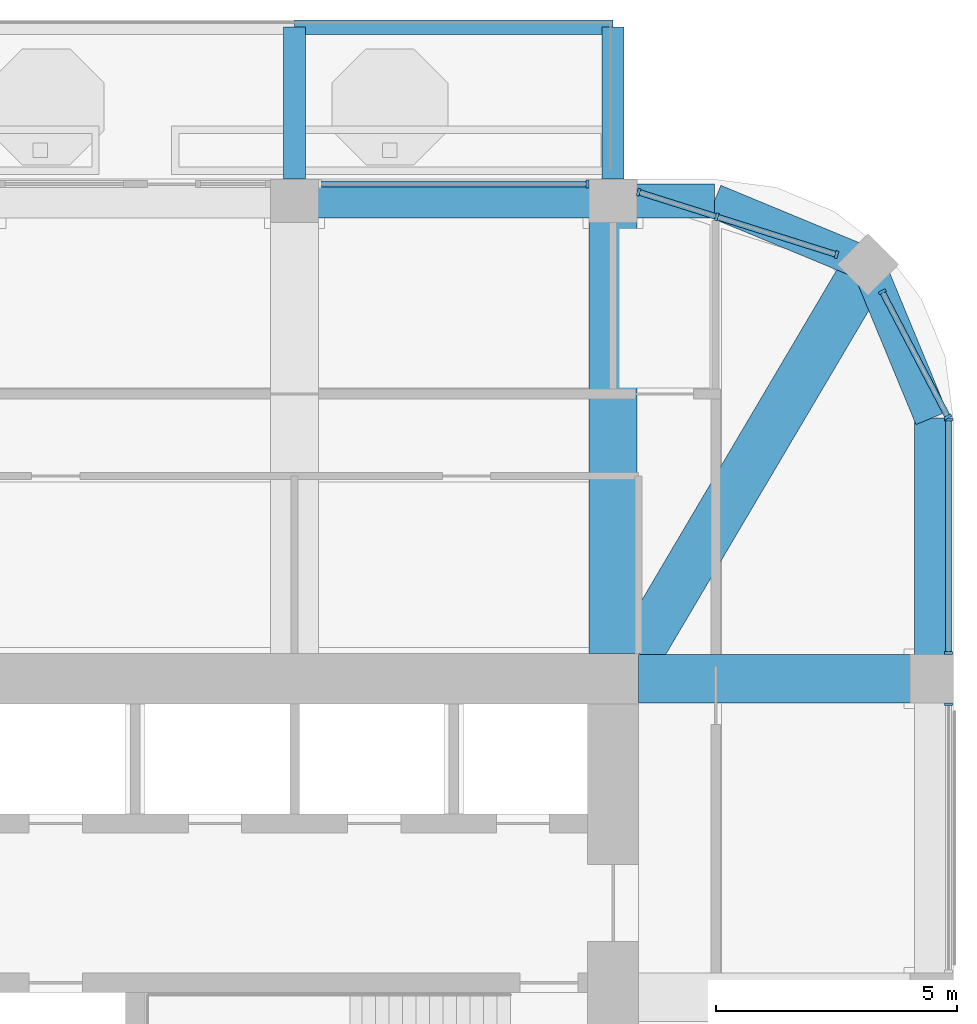
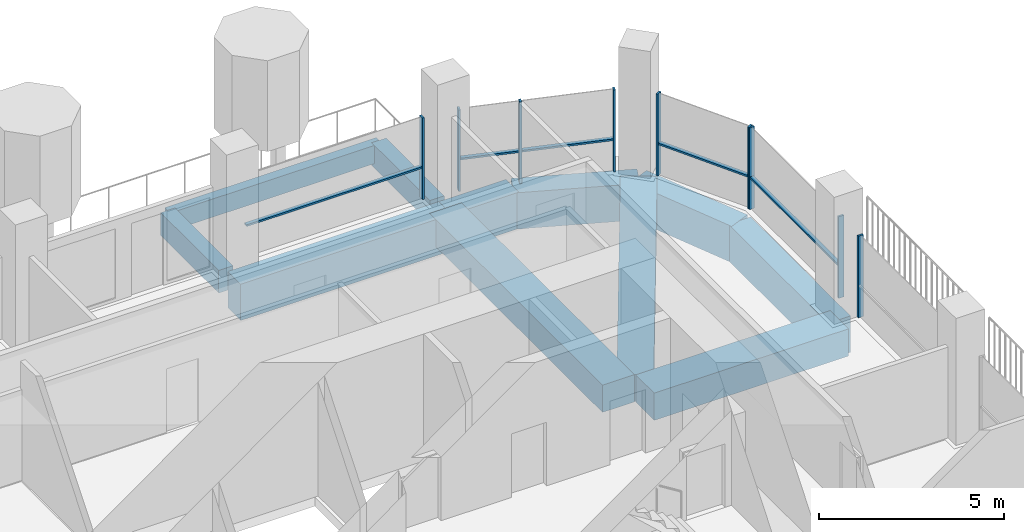
# One storey, part 7 of 21: 14 members, 11 beams, 5 elements without a shape of their own.
"""IFC4 building model written with IfcOpenShell, lengths in metres."""

from ifc_helpers import new_model, si_unit, direction, frame, origin, origin_2d, place, context, subcontext, project, spatial, rectangle, extrude, material, material_profile, profile_set, type_object, element, aggregate, save


model = new_model("IFC4")

# Units and contexts
model_context = context("Model", 3, precision=1e-05, world=origin(), true_north=direction((0.0, 1.0)))
body_context = subcontext(model_context, "Body", "Model", "MODEL_VIEW")
ifc_project = project(units=[si_unit("LENGTHUNIT", "METRE"), si_unit("AREAUNIT", "SQUARE_METRE"), si_unit("VOLUMEUNIT", "CUBIC_METRE"), si_unit("PLANEANGLEUNIT", "RADIAN"), si_unit("MASSUNIT", "GRAM", prefix="KILO")], contexts=[model_context])

# Site, building, storey
site_placement = place(None, origin())
site = spatial("IfcSite", under=ifc_project, at=site_placement, CompositionType="ELEMENT")
building_placement = place(site_placement, origin())
building = spatial("IfcBuilding", under=site, at=building_placement, Name="Cobogo Forest Laboratory Tower", CompositionType="ELEMENT")
storey_placement = place(building_placement, frame((0.0, 0.0, 258.60009765625)))
storey = spatial("IfcBuildingStorey", under=building, at=storey_placement, Name="L59", CompositionType="ELEMENT", Elevation=258.60009765625)

# Beams
ifc_material_1 = material(Name="Concrete HA-40 (C40/50)", Category="concrete")
ifc_material_profile_1 = material_profile(ifc_material_1, rectangle(XDim=0.449951171875, YDim=0.75, at=origin_2d()), Name="RC 450x750")
ifc_profile_set_1 = profile_set([ifc_material_profile_1], Name="Concrete HA-40 (C40/50)")
beam_type_1 = type_object("IfcBeamType", Name="Balcony cantilever beam 450x750", PredefinedType="BEAM", material=ifc_profile_set_1)
for number, where, z_axis, x_axis, name in (
    (1, (33.0, 43.35009765625, -0.625), (0.0, 1.0, 0.0), (-1.0, 0.0, 0.0), "CB1 BAL-N1-C2 L59"),
    (2, (39.60009765625, 43.35009765625, -0.625), (0.0, 1.0, 0.0), (-1.0, 0.0, 0.0), "CB1 BAL-N1-C3 L59"),
):
    element("IfcBeam", number, at=place(storey_placement, frame(where, z_axis=z_axis, x_axis=x_axis)), inside=storey, type_object=beam_type_1, Name=name, PredefinedType="BEAM", context=body_context, shape_type="SweptSolid", body=[
        extrude(rectangle(XDim=0.449951171875, YDim=0.75, at=origin_2d()), origin(), (0.0, 0.0, 1.0), 3.14990234375),
    ])
ifc_material_profile_2 = material_profile(ifc_material_1, rectangle(XDim=0.300048828125, YDim=0.60009765625, at=origin_2d()), Name="RC 300x600")
ifc_profile_set_2 = profile_set([ifc_material_profile_2], Name="Concrete HA-40 (C40/50)")
beam_type_2 = type_object("IfcBeamType", Name="Balcony edge beam 300x600", PredefinedType="BEAM", material=ifc_profile_set_2)
beam_1_placement = place(storey_placement, frame((33.0, 46.5, -0.550048828125), z_axis=(1.0, 0.0, 0.0), x_axis=(0.0, 1.0, 0.0)))
element("IfcBeam", 3, at=beam_1_placement, inside=storey, type_object=beam_type_2, Name="BB1 BAL-N1-T2 L59", PredefinedType="BEAM", context=body_context, shape_type="SweptSolid", body=[
    extrude(rectangle(XDim=0.300048828125, YDim=0.60009765625, at=origin_2d()), origin(), (0.0, 0.0, 1.0), 6.60009765625),
])

# Curtain wall, member
ifc_material_2 = material(Name="Aluminium curtain wall", Category="aluminium")
curtain_wall_type = type_object("IfcCurtainWallType", Name="CW-2 unitised curtain wall, solar control glazing, laboratory floors zones C and D", PredefinedType="USERDEFINED", material=ifc_material_2)
curtain_wall_1_placement = place(storey_placement, origin())
curtain_wall_1 = element("IfcCurtainWall", 4, at=curtain_wall_1_placement, inside=storey, type_object=curtain_wall_type, Name="Curtain wall 10 L59", ObjectType="UNITISED CURTAIN WALL", PredefinedType="USERDEFINED")
ifc_material_3 = material(Name="Aluminium mullion", Category="aluminium")
ifc_material_profile_3 = material_profile(ifc_material_3, rectangle(XDim=0.06005859375, YDim=0.159912109375, at=origin_2d()), Name="AL 60x160")
ifc_profile_set_3 = profile_set([ifc_material_profile_3], Name="Aluminium mullion")
member_type_1 = type_object("IfcMemberType", Name="MU-1 aluminium mullion 60x160", PredefinedType="MULLION", material=ifc_profile_set_3)
member_1_placement = place(storey_placement, frame((46.550048828125, 32.469970703125, 0.0), z_axis=(0.0, 0.0, 1.0), x_axis=(0.0, 1.0, 0.0)))
member_1 = element("IfcMember", 5, at=member_1_placement, type_object=member_type_1, Name="CW-2 mullion 2", PredefinedType="MULLION", context=body_context, shape_type="SweptSolid", body=[
    extrude(rectangle(XDim=0.06005859375, YDim=0.159912109375, at=origin_2d()), origin(), (0.0, 0.0, 1.0), 2.699951171875),
])
aggregate(curtain_wall_1, [member_1])

# Curtain wall, members
curtain_wall_2_placement = place(storey_placement, origin())
curtain_wall_2 = element("IfcCurtainWall", 6, at=curtain_wall_2_placement, inside=storey, type_object=curtain_wall_type, Name="Curtain wall 11 L59", ObjectType="UNITISED CURTAIN WALL", PredefinedType="USERDEFINED")
member_2_placement = place(storey_placement, frame((46.550048828125, 33.530029296875, 0.0), z_axis=(0.0, 0.0, 1.0), x_axis=(0.0, 1.0, 0.0)))
member_2 = element("IfcMember", 7, at=member_2_placement, type_object=member_type_1, Name="CW-2 mullion 1", PredefinedType="MULLION", context=body_context, shape_type="SweptSolid", body=[
    extrude(rectangle(XDim=0.06005859375, YDim=0.159912109375, at=origin_2d()), origin(), (0.0, 0.0, 1.0), 2.699951171875),
])
member_3_placement = place(storey_placement, frame((46.550048828125, 38.3701171875, 0.0), z_axis=(0.0, 0.0, 1.0), x_axis=(0.0, 1.0, 0.0)))
member_3 = element("IfcMember", 8, at=member_3_placement, type_object=member_type_1, Name="CW-2 mullion 2", PredefinedType="MULLION", context=body_context, shape_type="SweptSolid", body=[
    extrude(rectangle(XDim=0.06005859375, YDim=0.159912109375, at=origin_2d()), origin(), (0.0, 0.0, 1.0), 2.699951171875),
])

curtain_wall_3_placement = place(storey_placement, origin())
curtain_wall_3 = element("IfcCurtainWall", 9, at=curtain_wall_3_placement, inside=storey, type_object=curtain_wall_type, Name="Curtain wall 12 L59", ObjectType="UNITISED CURTAIN WALL", PredefinedType="USERDEFINED")
member_4_placement = place(storey_placement, frame((46.5361328125, 38.426513671875, 0.0), z_axis=(0.0, 0.0, 1.0), x_axis=(-0.464283778337, 0.885686498245, 0.0)))
member_4 = element("IfcMember", 10, at=member_4_placement, type_object=member_type_1, Name="CW-2 mullion 1", PredefinedType="MULLION", context=body_context, shape_type="SweptSolid", body=[
    extrude(rectangle(XDim=0.06005859375, YDim=0.159912109375, at=origin_2d()), origin(), (0.0, 0.0, 1.0), 2.699951171875),
])
member_5_placement = place(storey_placement, frame((45.177978515625, 41.017333984375, 0.0), z_axis=(0.0, 0.0, 1.0), x_axis=(-0.464283778337, 0.885686498245, 0.0)))
member_5 = element("IfcMember", 11, at=member_5_placement, type_object=member_type_1, Name="CW-2 mullion 2", PredefinedType="MULLION", context=body_context, shape_type="SweptSolid", body=[
    extrude(rectangle(XDim=0.06005859375, YDim=0.159912109375, at=origin_2d()), origin(), (0.0, 0.0, 1.0), 2.699951171875),
])

curtain_wall_4_placement = place(storey_placement, origin())
curtain_wall_4 = element("IfcCurtainWall", 12, at=curtain_wall_4_placement, inside=storey, type_object=curtain_wall_type, Name="Curtain wall 13 L59", ObjectType="UNITISED CURTAIN WALL", PredefinedType="USERDEFINED")
member_6_placement = place(storey_placement, frame((44.22998046875, 41.787841796875, 0.0), z_axis=(0.0, 0.0, 1.0), x_axis=(-0.953581379409, 0.301135439371, 0.0)))
member_6 = element("IfcMember", 13, at=member_6_placement, type_object=member_type_1, Name="CW-2 mullion 1", PredefinedType="MULLION", context=body_context, shape_type="SweptSolid", body=[
    extrude(rectangle(XDim=0.06005859375, YDim=0.159912109375, at=origin_2d()), origin(), (0.0, 0.0, 1.0), 2.699951171875),
])
member_7_placement = place(storey_placement, frame((41.7490234375, 42.5712890625, 0.0), z_axis=(0.0, 0.0, 1.0), x_axis=(-0.953581379409, 0.301135439371, 0.0)))
member_7 = element("IfcMember", 14, at=member_7_placement, type_object=member_type_1, Name="CW-2 mullion 2", PredefinedType="MULLION", context=body_context, shape_type="SweptSolid", body=[
    extrude(rectangle(XDim=0.06005859375, YDim=0.159912109375, at=origin_2d()), origin(), (0.0, 0.0, 1.0), 2.699951171875),
])
member_8_placement = place(storey_placement, frame((40.128662109375, 43.0830078125, 0.0), z_axis=(0.0, 0.0, 1.0), x_axis=(-0.953581379409, 0.301135439371, 0.0)))
member_8 = element("IfcMember", 15, at=member_8_placement, type_object=member_type_1, Name="CW-2 mullion 3", PredefinedType="MULLION", context=body_context, shape_type="SweptSolid", body=[
    extrude(rectangle(XDim=0.06005859375, YDim=0.159912109375, at=origin_2d()), origin(), (0.0, 0.0, 1.0), 2.699951171875),
])

# Curtain wall, member
curtain_wall_5_placement = place(storey_placement, origin())
curtain_wall_5 = element("IfcCurtainWall", 16, at=curtain_wall_5_placement, inside=storey, type_object=curtain_wall_type, Name="Curtain wall 14 L59", ObjectType="UNITISED CURTAIN WALL", PredefinedType="USERDEFINED")
member_9_placement = place(storey_placement, frame((39.070068359375, 43.25, 0.0), z_axis=(0.0, 0.0, 1.0), x_axis=(-1.0, 0.0, 0.0)))
member_9 = element("IfcMember", 17, at=member_9_placement, type_object=member_type_1, Name="CW-2 mullion 1", PredefinedType="MULLION", context=body_context, shape_type="SweptSolid", body=[
    extrude(rectangle(XDim=0.06005859375, YDim=0.159912109375, at=origin_2d()), origin(), (0.0, 0.0, 1.0), 2.699951171875),
])

# Beams
ifc_material_profile_4 = material_profile(ifc_material_1, rectangle(XDim=1.0, YDim=0.89990234375, at=origin_2d()), Name="RC 1000x900")
ifc_profile_set_4 = profile_set([ifc_material_profile_4], Name="Concrete HA-40 (C40/50)")
beam_type_3 = type_object("IfcBeamType", Name="Office floor wide beam 1000x900", PredefinedType="BEAM", material=ifc_profile_set_4)
beam_2_placement = place(storey_placement, frame((39.60009765625, 33.52490234375, -0.75), z_axis=(0.0, 1.0, 0.0), x_axis=(-1.0, 0.0, 0.0)))
element("IfcBeam", 18, at=beam_2_placement, inside=storey, type_object=beam_type_3, Name="RB2 R-7-N L59", PredefinedType="BEAM", context=body_context, shape_type="SweptSolid", body=[
    extrude(rectangle(XDim=1.0, YDim=0.89990234375, at=origin_2d()), origin(), (0.0, 0.0, 1.0), 9.375),
])
beam_3_placement = place(storey_placement, frame((40.125, 33.0, -0.75), z_axis=(1.0, 0.0, 0.0), x_axis=(0.0, 1.0, 0.0)))
element("IfcBeam", 19, at=beam_3_placement, inside=storey, type_object=beam_type_3, Name="RB2 R-F-E L59", PredefinedType="BEAM", context=body_context, shape_type="SweptSolid", body=[
    extrude(rectangle(XDim=1.0, YDim=0.89990234375, at=origin_2d()), origin(), (0.0, 0.0, 1.0), 6.074951171875),
])
beam_4_placement = place(storey_placement, frame((44.882080078125, 41.58203125, -0.75), z_axis=(-0.508416325908, -0.861111397875, 0.0), x_axis=(0.861111397875, -0.508416325908, 0.0)))
element("IfcBeam", 20, at=beam_4_placement, inside=storey, type_object=beam_type_3, Name="RB2 G-NE-D1 L59", PredefinedType="BEAM", context=body_context, shape_type="SweptSolid", body=[
    extrude(rectangle(XDim=1.0, YDim=0.89990234375, at=origin_2d()), origin(), (0.0, 0.0, 1.0), 9.356689453125),
])
ifc_material_profile_5 = material_profile(ifc_material_1, rectangle(XDim=0.699951171875, YDim=1.199951171875, at=origin_2d()), Name="RC 700x1200")
ifc_profile_set_5 = profile_set([ifc_material_profile_5], Name="Concrete HA-40 (C40/50)")
beam_type_4 = type_object("IfcBeamType", Name="Perimeter edge beam 700x1200", PredefinedType="BEAM", material=ifc_profile_set_5)
beam_5_placement = place(storey_placement, frame((33.0, 42.89990234375, -0.900146484375), z_axis=(1.0, 0.0, 0.0), x_axis=(0.0, 1.0, 0.0)))
element("IfcBeam", 21, at=beam_5_placement, inside=storey, type_object=beam_type_4, Name="EB1 E-N4 L59", PredefinedType="BEAM", context=body_context, shape_type="SweptSolid", body=[
    extrude(rectangle(XDim=0.699951171875, YDim=1.199951171875, at=origin_2d()), origin(), (0.0, 0.0, 1.0), 6.60009765625),
])
beam_6_placement = place(storey_placement, frame((46.199951171875, 33.0, -0.900146484375), z_axis=(0.0, 1.0, 0.0), x_axis=(-1.0, 0.0, 0.0)))
element("IfcBeam", 22, at=beam_6_placement, inside=storey, type_object=beam_type_4, Name="EB1 E-NEE1 L59", PredefinedType="BEAM", context=body_context, shape_type="SweptSolid", body=[
    extrude(rectangle(XDim=0.699951171875, YDim=1.199951171875, at=origin_2d()), origin(), (0.0, 0.0, 1.0), 5.39990234375),
])
beam_7_placement = place(storey_placement, frame((46.199951171875, 38.39990234375, -0.900146484375), z_axis=(-0.382631424892, 0.923901072997, 0.0), x_axis=(-0.923901072997, -0.382631424892, 0.0)))
element("IfcBeam", 23, at=beam_7_placement, inside=storey, type_object=beam_type_4, Name="EB1 E-NEE2 L59", PredefinedType="BEAM", context=body_context, shape_type="SweptSolid", body=[
    extrude(rectangle(XDim=0.699951171875, YDim=1.199951171875, at=origin_2d()), origin(), (0.0, 0.0, 1.0), 3.4443359375),
])
beam_8_placement = place(storey_placement, frame((39.60009765625, 42.89990234375, -0.900146484375), z_axis=(1.0, 0.0, 0.0), x_axis=(0.0, 1.0, 0.0)))
element("IfcBeam", 24, at=beam_8_placement, inside=storey, type_object=beam_type_4, Name="EB1 E-NEN1 L59", PredefinedType="BEAM", context=body_context, shape_type="SweptSolid", body=[
    extrude(rectangle(XDim=0.699951171875, YDim=1.199951171875, at=origin_2d()), origin(), (0.0, 0.0, 1.0), 2.099853515625),
])
beam_9_placement = place(storey_placement, frame((41.699951171875, 42.89990234375, -0.900146484375), z_axis=(0.923901072997, -0.382631424892, 0.0), x_axis=(0.382631424892, 0.923901072997, 0.0)))
element("IfcBeam", 25, at=beam_9_placement, inside=storey, type_object=beam_type_4, Name="EB1 E-NEN2 L59", PredefinedType="BEAM", context=body_context, shape_type="SweptSolid", body=[
    extrude(rectangle(XDim=0.699951171875, YDim=1.199951171875, at=origin_2d()), origin(), (0.0, 0.0, 1.0), 3.4443359375),
])

# Member
ifc_material_4 = material(Name="Aluminium transom", Category="aluminium")
ifc_material_profile_6 = material_profile(ifc_material_4, rectangle(XDim=0.1201171875, YDim=0.06005859375, at=origin_2d()), Name="AL 60x120")
ifc_profile_set_6 = profile_set([ifc_material_profile_6], Name="Aluminium transom")
member_type_2 = type_object("IfcMemberType", Name="TR-1 aluminium transom 60x120", PredefinedType="USERDEFINED", material=ifc_profile_set_6)
member_10_placement = place(storey_placement, frame((46.550048828125, 33.56005859375, 1.0498046875), z_axis=(0.0, 1.0, 0.0), x_axis=(-1.0, 0.0, 0.0)))
member_10 = element("IfcMember", 26, at=member_10_placement, type_object=member_type_2, Name="CW-2 transom 1.1", ObjectType="TRANSOM", PredefinedType="USERDEFINED", context=body_context, shape_type="SweptSolid", body=[
    extrude(rectangle(XDim=0.1201171875, YDim=0.06005859375, at=origin_2d()), origin(), (0.0, 0.0, 1.0), 4.780029296875),
])

aggregate(curtain_wall_2, [member_2, member_3, member_10])

member_11_placement = place(storey_placement, frame((46.522216796875, 38.453125, 1.0498046875), z_axis=(-0.46430944806, 0.885673041501, 0.0), x_axis=(-0.885673041501, -0.46430944806, 0.0)))
member_11 = element("IfcMember", 27, at=member_11_placement, type_object=member_type_2, Name="CW-2 transom 1.1", ObjectType="TRANSOM", PredefinedType="USERDEFINED", context=body_context, shape_type="SweptSolid", body=[
    extrude(rectangle(XDim=0.1201171875, YDim=0.06005859375, at=origin_2d()), origin(), (0.0, 0.0, 1.0), 2.865234375),
])

aggregate(curtain_wall_3, [member_4, member_5, member_11])

member_12_placement = place(storey_placement, frame((44.201416015625, 41.796875, 1.0498046875), z_axis=(-0.953587019958, 0.301117577314, 0.0), x_axis=(-0.301117577314, -0.953587019958, 0.0)))
member_12 = element("IfcMember", 28, at=member_12_placement, type_object=member_type_2, Name="CW-2 transom 1.1", ObjectType="TRANSOM", PredefinedType="USERDEFINED", context=body_context, shape_type="SweptSolid", body=[
    extrude(rectangle(XDim=0.1201171875, YDim=0.06005859375, at=origin_2d()), origin(), (0.0, 0.0, 1.0), 2.541748046875),
])

member_13_placement = place(storey_placement, frame((41.720458984375, 42.580322265625, 1.0498046875), z_axis=(-0.953582665134, 0.301131367937, 0.0), x_axis=(-0.301131367937, -0.953582665134, 0.0)))
member_13 = element("IfcMember", 29, at=member_13_placement, type_object=member_type_2, Name="CW-2 transom 2.1", ObjectType="TRANSOM", PredefinedType="USERDEFINED", context=body_context, shape_type="SweptSolid", body=[
    extrude(rectangle(XDim=0.1201171875, YDim=0.06005859375, at=origin_2d()), origin(), (0.0, 0.0, 1.0), 1.639404296875),
])

aggregate(curtain_wall_4, [member_6, member_7, member_8, member_12, member_13])

member_14_placement = place(storey_placement, frame((39.0400390625, 43.25, 1.0498046875), z_axis=(-1.0, 0.0, 0.0), x_axis=(0.0, -1.0, 0.0)))
member_14 = element("IfcMember", 30, at=member_14_placement, type_object=member_type_2, Name="CW-2 transom 1.1", ObjectType="TRANSOM", PredefinedType="USERDEFINED", context=body_context, shape_type="SweptSolid", body=[
    extrude(rectangle(XDim=0.1201171875, YDim=0.06005859375, at=origin_2d()), origin(), (0.0, 0.0, 1.0), 5.47998046875),
])

aggregate(curtain_wall_5, [member_9, member_14])

save(model, "model.ifc")
